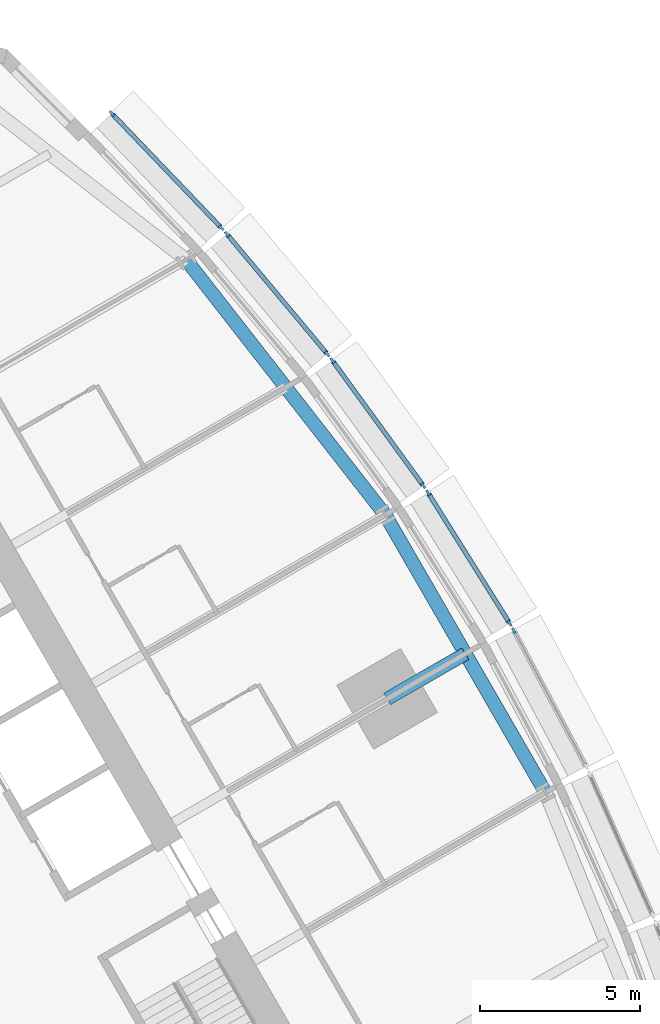
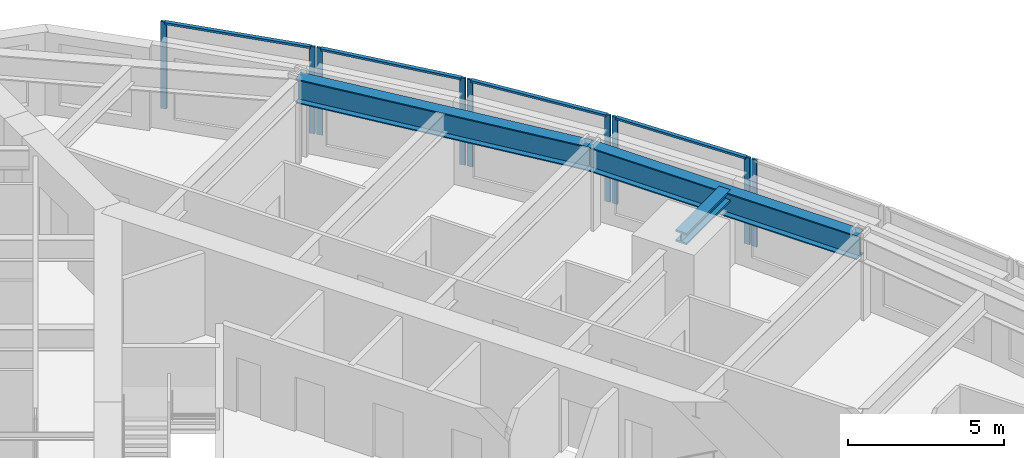
# One storey, part 5 of 14: 13 members, 3 beams, 5 elements without a shape of their own.
"""IFC4 building model written with IfcOpenShell, lengths in metres."""

from ifc_helpers import new_model, si_unit, direction, frame, origin, origin_2d, place, context, subcontext, project, spatial, rectangle, i_section, extrude, material, material_profile, profile_set, type_object, element, aggregate, save


model = new_model("IFC4")

# Units and contexts
model_context = context("Model", 3, precision=1e-05, world=origin(), true_north=direction((0.0, 1.0)))
body_context = subcontext(model_context, "Body", "Model", "MODEL_VIEW")
ifc_project = project(units=[si_unit("LENGTHUNIT", "METRE"), si_unit("AREAUNIT", "SQUARE_METRE"), si_unit("VOLUMEUNIT", "CUBIC_METRE"), si_unit("PLANEANGLEUNIT", "RADIAN"), si_unit("MASSUNIT", "GRAM", prefix="KILO")], contexts=[model_context])

# Site, building, storey
site_placement = place(None, origin())
site = spatial("IfcSite", under=ifc_project, at=site_placement, CompositionType="ELEMENT")
building_placement = place(site_placement, origin())
building = spatial("IfcBuilding", under=site, at=building_placement, Name="Trikona Tower", CompositionType="ELEMENT")
storey_placement = place(building_placement, frame((0.0, 0.0, 121.5)))
storey = spatial("IfcBuildingStorey", under=building, at=storey_placement, Name="L31", CompositionType="ELEMENT", Elevation=121.5)

# Curtain wall, member
ifc_material_1 = material(Name="Aluminium curtain wall system", Category="aluminium")
curtain_wall_type = type_object("IfcCurtainWallType", Name="Curtain wall DS2", PredefinedType="NOTDEFINED", material=ifc_material_1)
curtain_wall_1_placement = place(storey_placement, origin())
curtain_wall_1 = element("IfcCurtainWall", 1, at=curtain_wall_1_placement, inside=storey, type_object=curtain_wall_type, Name="Curtain wall DS2 L31", PredefinedType="NOTDEFINED")
ifc_material_2 = material(Name="Aluminium mullion, pale anodised", Category="aluminium")
ifc_material_profile_1 = material_profile(ifc_material_2, rectangle(XDim=0.080078125, YDim=0.199951171875, at=origin_2d()), Name="MUL-DS2")
ifc_profile_set_1 = profile_set([ifc_material_profile_1], Name="Aluminium mullion, pale anodised")
member_type_1 = type_object("IfcMemberType", Name="Mullion DS2 80x200", PredefinedType="MULLION", material=ifc_profile_set_1)
member_1_placement = place(storey_placement, frame((19.2666015625, 10.9716796875, 0.0), z_axis=(0.0, 0.0, 1.0), x_axis=(-0.882996107343, -0.469380308937, 0.0)))
member_1 = element("IfcMember", 2, at=member_1_placement, type_object=member_type_1, Name="CW-DS2 mullion 2", PredefinedType="MULLION", context=body_context, shape_type="SweptSolid", body=[
    extrude(rectangle(XDim=0.080078125, YDim=0.199951171875, at=origin_2d()), origin(), (0.0, 0.0, 1.0), 3.39990234375),
])
aggregate(curtain_wall_1, [member_1])

# Curtain wall, members
curtain_wall_2_placement = place(storey_placement, origin())
curtain_wall_2 = element("IfcCurtainWall", 3, at=curtain_wall_2_placement, inside=storey, type_object=curtain_wall_type, Name="Curtain wall DS2 L31", PredefinedType="NOTDEFINED")
member_2_placement = place(storey_placement, frame((19.135009765625, 11.199462890625, 0.0), z_axis=(0.0, 0.0, 1.0), x_axis=(-0.847998304006, -0.529998940002, 0.0)))
member_2 = element("IfcMember", 4, at=member_2_placement, type_object=member_type_1, Name="CW-DS2 mullion 1", PredefinedType="MULLION", context=body_context, shape_type="SweptSolid", body=[
    extrude(rectangle(XDim=0.080078125, YDim=0.199951171875, at=origin_2d()), origin(), (0.0, 0.0, 1.0), 3.39990234375),
])
member_3_placement = place(storey_placement, frame((16.589599609375, 15.2724609375, 0.0), z_axis=(0.0, 0.0, 1.0), x_axis=(-0.847998304006, -0.529998940002, 0.0)))
member_3 = element("IfcMember", 5, at=member_3_placement, type_object=member_type_1, Name="CW-DS2 mullion 2", PredefinedType="MULLION", context=body_context, shape_type="SweptSolid", body=[
    extrude(rectangle(XDim=0.080078125, YDim=0.199951171875, at=origin_2d()), origin(), (0.0, 0.0, 1.0), 3.39990234375),
])

curtain_wall_3_placement = place(storey_placement, origin())
curtain_wall_3 = element("IfcCurtainWall", 6, at=curtain_wall_3_placement, inside=storey, type_object=curtain_wall_type, Name="Curtain wall DS2 L31", PredefinedType="NOTDEFINED")
member_4_placement = place(storey_placement, frame((16.442626953125, 15.489990234375, 0.0), z_axis=(0.0, 0.0, 1.0), x_axis=(-0.80908576332, -0.587690588313, 0.0)))
member_4 = element("IfcMember", 7, at=member_4_placement, type_object=member_type_1, Name="CW-DS2 mullion 1", PredefinedType="MULLION", context=body_context, shape_type="SweptSolid", body=[
    extrude(rectangle(XDim=0.080078125, YDim=0.199951171875, at=origin_2d()), origin(), (0.0, 0.0, 1.0), 3.39990234375),
])
member_5_placement = place(storey_placement, frame((13.605712890625, 19.39599609375, 0.0), z_axis=(0.0, 0.0, 1.0), x_axis=(-0.80908576332, -0.587690588313, 0.0)))
member_5 = element("IfcMember", 8, at=member_5_placement, type_object=member_type_1, Name="CW-DS2 mullion 2", PredefinedType="MULLION", context=body_context, shape_type="SweptSolid", body=[
    extrude(rectangle(XDim=0.080078125, YDim=0.199951171875, at=origin_2d()), origin(), (0.0, 0.0, 1.0), 3.39990234375),
])

curtain_wall_4_placement = place(storey_placement, origin())
curtain_wall_4 = element("IfcCurtainWall", 9, at=curtain_wall_4_placement, inside=storey, type_object=curtain_wall_type, Name="Curtain wall DS2 L31", PredefinedType="NOTDEFINED")
member_6_placement = place(storey_placement, frame((13.44482421875, 19.602294921875, 0.0), z_axis=(0.0, 0.0, 1.0), x_axis=(-0.766866678271, -0.641806433248, 0.0)))
member_6 = element("IfcMember", 10, at=member_6_placement, type_object=member_type_1, Name="CW-DS2 mullion 1", PredefinedType="MULLION", context=body_context, shape_type="SweptSolid", body=[
    extrude(rectangle(XDim=0.080078125, YDim=0.199951171875, at=origin_2d()), origin(), (0.0, 0.0, 1.0), 3.39990234375),
])
member_7_placement = place(storey_placement, frame((10.315185546875, 23.34130859375, 0.0), z_axis=(0.0, 0.0, 1.0), x_axis=(-0.766866678271, -0.641806433248, 0.0)))
member_7 = element("IfcMember", 11, at=member_7_placement, type_object=member_type_1, Name="CW-DS2 mullion 2", PredefinedType="MULLION", context=body_context, shape_type="SweptSolid", body=[
    extrude(rectangle(XDim=0.080078125, YDim=0.199951171875, at=origin_2d()), origin(), (0.0, 0.0, 1.0), 3.39990234375),
])

curtain_wall_5_placement = place(storey_placement, origin())
curtain_wall_5 = element("IfcCurtainWall", 12, at=curtain_wall_5_placement, inside=storey, type_object=curtain_wall_type, Name="Curtain wall DS2 L31", PredefinedType="NOTDEFINED")
member_8_placement = place(storey_placement, frame((10.1416015625, 23.535400390625, 0.0), z_axis=(0.0, 0.0, 1.0), x_axis=(-0.722158330767, -0.691727797117, 0.0)))
member_8 = element("IfcMember", 13, at=member_8_placement, type_object=member_type_1, Name="CW-DS2 mullion 1", PredefinedType="MULLION", context=body_context, shape_type="SweptSolid", body=[
    extrude(rectangle(XDim=0.080078125, YDim=0.199951171875, at=origin_2d()), origin(), (0.0, 0.0, 1.0), 3.39990234375),
])
member_9_placement = place(storey_placement, frame((6.718994140625, 27.1083984375, 0.0), z_axis=(0.0, 0.0, 1.0), x_axis=(-0.722158330767, -0.691727797117, 0.0)))
member_9 = element("IfcMember", 14, at=member_9_placement, type_object=member_type_1, Name="CW-DS2 mullion 2", PredefinedType="MULLION", context=body_context, shape_type="SweptSolid", body=[
    extrude(rectangle(XDim=0.080078125, YDim=0.199951171875, at=origin_2d()), origin(), (0.0, 0.0, 1.0), 3.39990234375),
])

# Beams
ifc_material_3 = material(Name="Steel ASTM A992 Grade 50", Category="steel")
ifc_material_profile_2 = material_profile(ifc_material_3, i_section(OverallWidth=0.419189453125, OverallDepth=0.45458984375, WebThickness=0.042236328125, FlangeThickness=0.067626953125, at=origin_2d()), Name="W14X370")
ifc_profile_set_2 = profile_set([ifc_material_profile_2], Name="Steel ASTM A992 Grade 50")
beam_type_1 = type_object("IfcBeamType", Name="Steel beam W14x370 (apex bracket)", PredefinedType="BEAM", material=ifc_profile_set_2)
beam_1_placement = place(storey_placement, frame((15.311767578125, 8.84033203125, 3.0078125), z_axis=(0.86605005072, 0.499957307824, 0.0), x_axis=(-0.499957307824, 0.86605005072, 0.0)))
element("IfcBeam", 15, at=beam_1_placement, inside=storey, type_object=beam_type_1, Name="Cantilever bracket L32 F2", PredefinedType="BEAM", context=body_context, shape_type="SweptSolid", body=[
    extrude(i_section(OverallWidth=0.419189453125, OverallDepth=0.45458984375, WebThickness=0.042236328125, FlangeThickness=0.067626953125, at=origin_2d()), origin(), (0.0, 0.0, 1.0), 2.819580078125),
])
ifc_material_4 = material(Name="Steel ASTM A992 Grade 50", Category="steel")
ifc_material_profile_3 = material_profile(ifc_material_4, i_section(OverallWidth=0.424072265625, OverallDepth=0.947509765625, WebThickness=0.02392578125, FlangeThickness=0.042724609375, at=origin_2d()), Name="W36X302")
ifc_profile_set_3 = profile_set([ifc_material_profile_3], Name="Steel ASTM A992 Grade 50")
beam_type_2 = type_object("IfcBeamType", Name="Steel beam W36x302 (spandrel)", PredefinedType="SPANDREL", material=ifc_profile_set_3)
beam_2_placement = place(storey_placement, frame((20.253662109375, 5.919921875, 2.76123046875), z_axis=(-0.500004234368, 0.866022959057, 0.0), x_axis=(-0.866022959057, -0.500004234368, 0.0)))
element("IfcBeam", 16, at=beam_2_placement, inside=storey, type_object=beam_type_2, Name="Spandrel beam L32 F2-3", PredefinedType="SPANDREL", context=body_context, shape_type="SweptSolid", body=[
    extrude(i_section(OverallWidth=0.424072265625, OverallDepth=0.947509765625, WebThickness=0.02392578125, FlangeThickness=0.042724609375, at=origin_2d()), origin(), (0.0, 0.0, 1.0), 10.0),
])
beam_3_placement = place(storey_placement, frame((15.253662109375, 14.580078125, 2.76123046875), z_axis=(-0.615232009054, 0.788346101046, 0.0), x_axis=(-0.788346101046, -0.615232009054, 0.0)))
element("IfcBeam", 17, at=beam_3_placement, inside=storey, type_object=beam_type_2, Name="Spandrel beam L32 F2-4", PredefinedType="SPANDREL", context=body_context, shape_type="SweptSolid", body=[
    extrude(i_section(OverallWidth=0.424072265625, OverallDepth=0.947509765625, WebThickness=0.02392578125, FlangeThickness=0.042724609375, at=origin_2d()), origin(), (0.0, 0.0, 1.0), 10.09765625),
])

# Member
ifc_material_5 = material(Name="Aluminium transom, pale anodised", Category="aluminium")
ifc_material_profile_4 = material_profile(ifc_material_5, rectangle(XDim=0.139892578125, YDim=0.080078125, at=origin_2d()), Name="TRN-DS2")
ifc_profile_set_4 = profile_set([ifc_material_profile_4], Name="Aluminium transom, pale anodised")
member_type_2 = type_object("IfcMemberType", Name="Transom DS2 80x140", PredefinedType="USERDEFINED", material=ifc_profile_set_4)
member_10_placement = place(storey_placement, frame((19.114013671875, 11.2333984375, 3.360107421875), z_axis=(-0.530031463794, 0.847977975769, 0.0), x_axis=(-0.847977975769, -0.530031463794, 0.0)))
member_10 = element("IfcMember", 18, at=member_10_placement, type_object=member_type_2, Name="CW-DS2 transom 1.1", ObjectType="TRANSOM", PredefinedType="USERDEFINED", context=body_context, shape_type="SweptSolid", body=[
    extrude(rectangle(XDim=0.139892578125, YDim=0.080078125, at=origin_2d()), origin(), (0.0, 0.0, 1.0), 4.72314453125),
])

aggregate(curtain_wall_2, [member_2, member_3, member_10])

member_11_placement = place(storey_placement, frame((16.419189453125, 15.5224609375, 3.360107421875), z_axis=(-0.587694585883, 0.809082859616, 0.0), x_axis=(-0.809082859616, -0.587694585883, 0.0)))
member_11 = element("IfcMember", 19, at=member_11_placement, type_object=member_type_2, Name="CW-DS2 transom 1.1", ObjectType="TRANSOM", PredefinedType="USERDEFINED", context=body_context, shape_type="SweptSolid", body=[
    extrude(rectangle(XDim=0.139892578125, YDim=0.080078125, at=origin_2d()), origin(), (0.0, 0.0, 1.0), 4.747314453125),
])

aggregate(curtain_wall_3, [member_4, member_5, member_11])

member_12_placement = place(storey_placement, frame((13.4189453125, 19.6328125, 3.360107421875), z_axis=(-0.641770294892, 0.766896921753, 0.0), x_axis=(-0.766896921753, -0.641770294892, 0.0)))
member_12 = element("IfcMember", 20, at=member_12_placement, type_object=member_type_2, Name="CW-DS2 transom 1.1", ObjectType="TRANSOM", PredefinedType="USERDEFINED", context=body_context, shape_type="SweptSolid", body=[
    extrude(rectangle(XDim=0.139892578125, YDim=0.080078125, at=origin_2d()), origin(), (0.0, 0.0, 1.0), 4.7958984375),
])

aggregate(curtain_wall_4, [member_6, member_7, member_12])

member_13_placement = place(storey_placement, frame((10.114013671875, 23.564208984375, 3.360107421875), z_axis=(-0.691721246785, 0.722164605022, 0.0), x_axis=(-0.722164605022, -0.691721246785, 0.0)))
member_13 = element("IfcMember", 21, at=member_13_placement, type_object=member_type_2, Name="CW-DS2 transom 1.1", ObjectType="TRANSOM", PredefinedType="USERDEFINED", context=body_context, shape_type="SweptSolid", body=[
    extrude(rectangle(XDim=0.139892578125, YDim=0.080078125, at=origin_2d()), origin(), (0.0, 0.0, 1.0), 4.867919921875),
])

aggregate(curtain_wall_5, [member_8, member_9, member_13])

save(model, "model.ifc")
